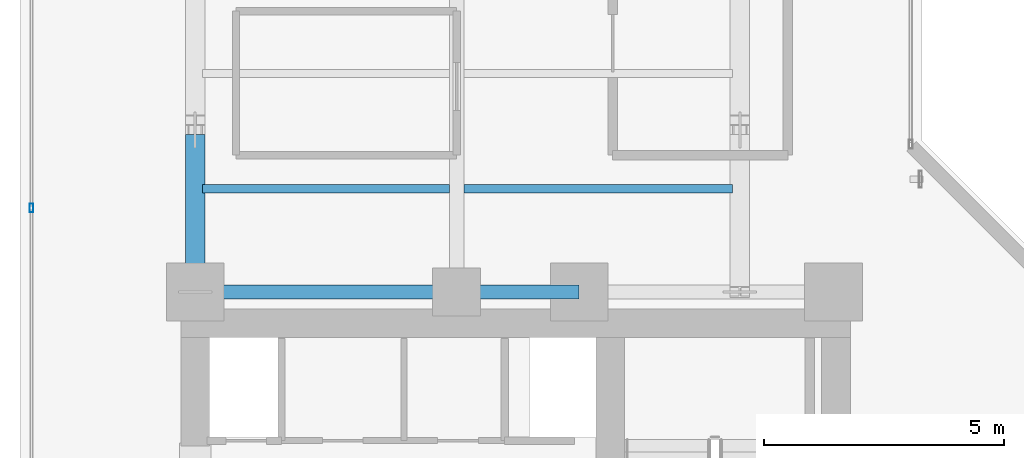
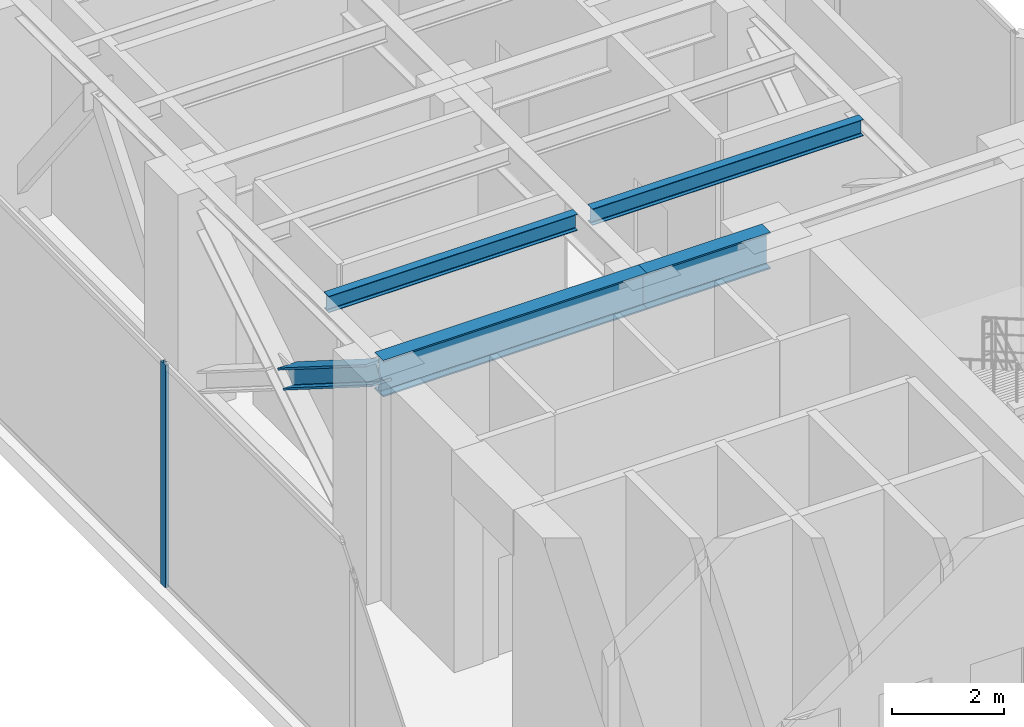
# One storey, part 9 of 36: 4 beams, 2 members, 1 element without a shape of its own.
"""IFC4 building model written with IfcOpenShell, lengths in metres."""

from ifc_helpers import new_model, si_unit, direction, frame, origin, origin_with_axes, origin_2d, place, context, subcontext, project, spatial, hollow_rectangle, i_section, extrude, source, transform, mapped, material, layer, layer_set, material_profile, profile_set, type_object, element, aggregate, save


model = new_model("IFC4")

# Units and contexts
model_context = context("Model", 3, precision=1e-05, world=origin(), true_north=direction((0.0, 1.0)))
body_context = subcontext(model_context, "Body", "Model", "MODEL_VIEW")
ifc_project = project(units=[si_unit("LENGTHUNIT", "METRE"), si_unit("AREAUNIT", "SQUARE_METRE"), si_unit("VOLUMEUNIT", "CUBIC_METRE"), si_unit("PLANEANGLEUNIT", "RADIAN"), si_unit("MASSUNIT", "GRAM", prefix="KILO")], contexts=[model_context])

# Site, building, storey
site_placement = place(None, origin())
site = spatial("IfcSite", under=ifc_project, at=site_placement, CompositionType="ELEMENT")
building_placement = place(site_placement, origin())
building = spatial("IfcBuilding", under=site, at=building_placement, Name="Kolvaren Waterfront Exchange", CompositionType="ELEMENT")
storey_placement = place(building_placement, frame((0.0, 0.0, 199.39990234375)))
storey = spatial("IfcBuildingStorey", under=building, at=storey_placement, Name="L51", CompositionType="ELEMENT", Elevation=199.39990234375)

# Beams
ifc_material_1 = material(Name="Steel S355", Category="steel")
ifc_material_profile_1 = material_profile(ifc_material_1, i_section(OverallWidth=0.300048828125, OverallDepth=0.800048828125, WebThickness=0.017578125, FlangeThickness=0.032958984375, FilletRadius=0.030029296875, at=origin_2d()), Name="HEB800")
ifc_profile_set_1 = profile_set([ifc_material_profile_1], Name="Steel S355")
beam_type_1 = type_object("IfcBeamType", Name="STR-BM-HEB800", PredefinedType="BEAM", material=ifc_profile_set_1)
beam_1_placement = place(storey_placement, frame((7.449951171875, 24.449951171875, 4.460205078125), z_axis=(1.0, 0.0, 0.0), x_axis=(0.0, 1.0, 0.0)))
element("IfcBeam", 1, at=beam_1_placement, inside=storey, type_object=beam_type_1, Name="L51 north-arm girder 1A", PredefinedType="BEAM", context=body_context, shape_type="SweptSolid", body=[
    extrude(i_section(OverallWidth=0.300048828125, OverallDepth=0.800048828125, WebThickness=0.017578125, FlangeThickness=0.032958984375, FilletRadius=0.030029296875, at=origin_2d()), origin(), (0.0, 0.0, 1.0), 5.449951171875),
])
beam_2_placement = place(storey_placement, frame((12.89990234375, 24.449951171875, 4.460205078125), z_axis=(1.0, 0.0, 0.0), x_axis=(0.0, 1.0, 0.0)))
element("IfcBeam", 2, at=beam_2_placement, inside=storey, type_object=beam_type_1, Name="L51 north-arm girder 1B", PredefinedType="BEAM", context=body_context, shape_type="SweptSolid", body=[
    extrude(i_section(OverallWidth=0.300048828125, OverallDepth=0.800048828125, WebThickness=0.017578125, FlangeThickness=0.032958984375, FilletRadius=0.030029296875, at=origin_2d()), origin(), (0.0, 0.0, 1.0), 2.550048828125),
])
ifc_material_profile_2 = material_profile(ifc_material_1, i_section(OverallWidth=0.169921875, OverallDepth=0.360107421875, WebThickness=0.008056640625, FlangeThickness=0.0126953125, FilletRadius=0.01806640625, at=origin_2d()), Name="IPE360")
ifc_profile_set_2 = profile_set([ifc_material_profile_2], Name="Steel S355")
beam_type_2 = type_object("IfcBeamType", Name="STR-BM-IPE360", PredefinedType="JOIST", material=ifc_profile_set_2)
beam_3_placement = place(storey_placement, frame((7.60205078125, 26.60009765625, 4.68017578125), z_axis=(1.0, 0.0, 0.0), x_axis=(0.0, 1.0, 0.0)))
element("IfcBeam", 3, at=beam_3_placement, inside=storey, type_object=beam_type_2, Name="L51 north-arm composite joist 1A", PredefinedType="JOIST", context=body_context, shape_type="SweptSolid", body=[
    extrude(i_section(OverallWidth=0.169921875, OverallDepth=0.360107421875, WebThickness=0.008056640625, FlangeThickness=0.0126953125, FilletRadius=0.01806640625, at=origin_2d()), origin(), (0.0, 0.0, 1.0), 5.14599609375),
])
beam_4_placement = place(storey_placement, frame((13.052001953125, 26.60009765625, 4.68017578125), z_axis=(1.0, 0.0, 0.0), x_axis=(0.0, 1.0, 0.0)))
element("IfcBeam", 4, at=beam_4_placement, inside=storey, type_object=beam_type_2, Name="L51 north-arm composite joist 1B", PredefinedType="JOIST", context=body_context, shape_type="SweptSolid", body=[
    extrude(i_section(OverallWidth=0.169921875, OverallDepth=0.360107421875, WebThickness=0.008056640625, FlangeThickness=0.0126953125, FilletRadius=0.01806640625, at=origin_2d()), origin(), (0.0, 0.0, 1.0), 5.595947265625),
])

# Member
ifc_material_2 = material(Name="Steel S460", Category="steel")
ifc_material_profile_3 = material_profile(ifc_material_2, i_section(OverallWidth=0.406005859375, OverallDepth=0.416015625, WebThickness=0.029052734375, FlangeThickness=0.0419921875, FilletRadius=0.014892578125, at=origin_2d()), Name="HD400x382")
ifc_profile_set_3 = profile_set([ifc_material_profile_3], Name="Steel S460")
member_type_1 = type_object("IfcMemberType", Name="STR-BR-HD382", PredefinedType="BRACE", material=ifc_profile_set_3)
member_1_placement = place(storey_placement, frame((7.449951171875, 27.6220703125, 2.50830078125), z_axis=(0.0, -0.84569763783, 0.533662351463), x_axis=(1.0, 0.0, 0.0)))
element("IfcMember", 5, at=member_1_placement, inside=storey, type_object=member_type_1, Name="L51 outrigger split diagonal OA3.2B", PredefinedType="BRACE", context=body_context, shape_type="SweptSolid", body=[
    extrude(i_section(OverallWidth=0.406005859375, OverallDepth=0.416015625, WebThickness=0.029052734375, FlangeThickness=0.0419921875, FilletRadius=0.014892578125, at=origin_2d()), origin(), (0.0, 0.0, 1.0), 3.7509765625),
])

# Curtain wall, member
ifc_material_3 = material(Name="Anodised dark bronze spandrel aluminium", Category="aluminium")
ifc_layer = layer(ifc_material_3, 0.219970703125, Name="Anodised dark bronze spandrel aluminium")
ifc_layer_set = layer_set([ifc_layer], Name="Anodised dark bronze spandrel aluminium")
curtain_wall_type = type_object("IfcCurtainWallType", Name="ARC-CW-SYS6", PredefinedType="USERDEFINED", material=ifc_layer_set)
curtain_wall_placement = place(storey_placement, origin())
curtain_wall = element("IfcCurtainWall", 6, at=curtain_wall_placement, inside=storey, type_object=curtain_wall_type, Name="L51 stick curtain wall CW6 (CW-L51-W)", ObjectType="STICK CURTAIN WALL", PredefinedType="USERDEFINED")
ifc_material_4 = material(Name="Anodised bronze aluminium 6063-T6", Category="aluminium")
ifc_material_profile_4 = material_profile(ifc_material_4, hollow_rectangle(XDim=0.074951171875, YDim=0.179931640625, WallThickness=0.00439453125, at=origin_2d()), Name="ALU-MUL-180x75x4.5")
ifc_profile_set_4 = profile_set([ifc_material_profile_4], Name="Anodised bronze aluminium 6063-T6")
member_type_2 = type_object("IfcMemberType", Name="ARC-CWM-180", PredefinedType="MULLION", material=ifc_profile_set_4)
shared_shape = source(origin_with_axes(), body_context, "Body", "SweptSolid", [
    extrude(hollow_rectangle(XDim=0.074951171875, YDim=0.179931640625, WallThickness=0.00439453125, at=origin_2d()), origin(), (0.0, 0.0, 1.0), 4.860107421875),
])
member_2_placement = place(storey_placement, frame((4.0400390625, 26.199951171875, 0.0), z_axis=(0.0, 0.0, 1.0), x_axis=(-1.0, 0.0, 0.0)))
member_2 = element("IfcMember", 7, at=member_2_placement, type_object=member_type_2, Name="CW6 mullion 4", PredefinedType="MULLION", context=body_context, shape_type="MappedRepresentation", body=[
    mapped(shared_shape, transform((0.0, 0.0, 0.0), x_axis=(1.0, 0.0, 0.0), y_axis=(0.0, 1.0, 0.0), z_axis=(0.0, 0.0, 1.0), scale=1.0)),
])
aggregate(curtain_wall, [member_2])

save(model, "model.ifc")
